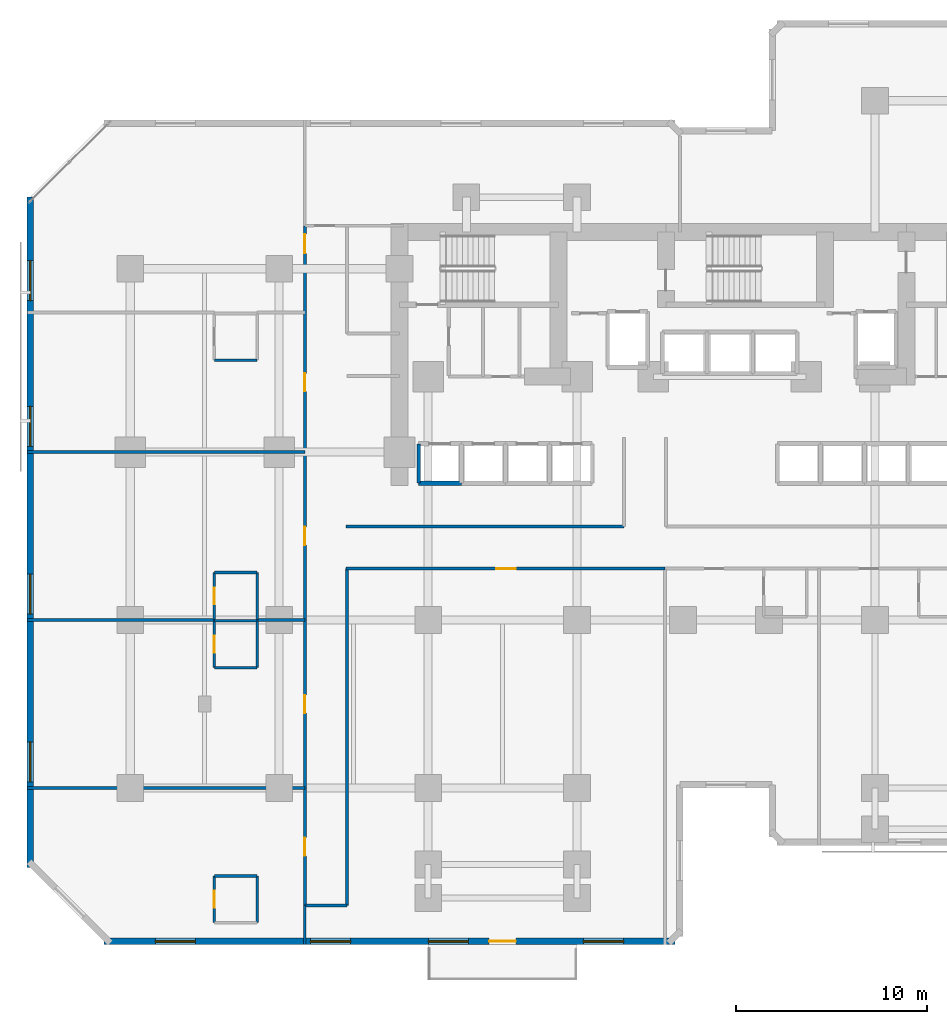
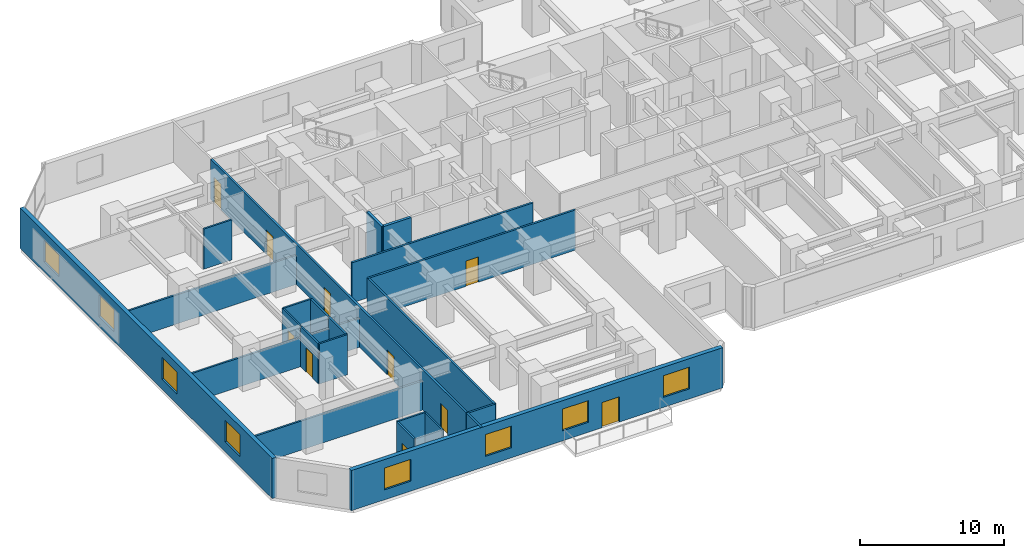
# One storey, part 4 of 11: 25 walls, 10 doors, 8 windows, 18 openings.
"""IFC4 building model written with IfcOpenShell, lengths in metres."""

from ifc_helpers import new_model, si_unit, direction, frame, frame_2d, origin, place, context, subcontext, project, spatial, rectangle, extrude, material, layer, layer_set, type_object, element, fill, save


model = new_model("IFC4")

# Units and contexts
model_context = context("Model", 3, precision=1e-05, world=origin(), true_north=direction((0.0, 1.0)))
body_context = subcontext(model_context, "Body", "Model", "MODEL_VIEW")
ifc_project = project(units=[si_unit("LENGTHUNIT", "METRE"), si_unit("AREAUNIT", "SQUARE_METRE"), si_unit("VOLUMEUNIT", "CUBIC_METRE"), si_unit("PLANEANGLEUNIT", "RADIAN"), si_unit("MASSUNIT", "GRAM", prefix="KILO")], contexts=[model_context])

# Site, building, storey
site_placement = place(None, origin())
site = spatial("IfcSite", under=ifc_project, at=site_placement, CompositionType="ELEMENT")
building_placement = place(site_placement, origin())
building = spatial("IfcBuilding", under=site, at=building_placement, Name="Kestravale Grand Hotel", CompositionType="ELEMENT")
storey_placement = place(building_placement, frame((0.0, 0.0, 71.60009765625)))
storey = spatial("IfcBuildingStorey", under=building, at=storey_placement, Name="L17", CompositionType="ELEMENT", Elevation=71.60009765625)

# Wall, openings, door, windows
ifc_material_1 = material(Name="Precast concrete f'c 45 MPa", Category="concrete")
ifc_layer_1 = layer(ifc_material_1, 0.340087890625)
ifc_layer_set_1 = layer_set([ifc_layer_1], Name="EW-PREC-340")
wall_type_1 = type_object("IfcWallType", Name="EW-PREC-340", PredefinedType="SOLIDWALL", material=ifc_layer_set_1)
wall_1_placement = place(storey_placement, frame((6.429931640625, 3.169921875, 0.0), z_axis=(0.0, 0.0, 1.0), x_axis=(1.0, 0.0, 0.0)))
wall_1 = element("IfcWall", 1, at=wall_1_placement, inside=storey, type_object=wall_type_1, Name="L17 fluted precast facade wall 1", PredefinedType="SOLIDWALL", context=body_context, shape_type="SweptSolid", body=[
    extrude(rectangle(XDim=29.89013671875, YDim=0.340087890625, at=frame_2d((14.945068359375, 0.0))), origin(), (0.0, 0.0, 1.0), 3.419921875),
])
opening_1_placement = place(wall_1_placement, frame((20.169921875, 0.0, 0.0)))
opening_1 = element("IfcOpeningElement", 2, at=opening_1_placement, cuts=wall_1, Name="Opening D-TERR-1400", PredefinedType="OPENING", context=body_context, shape_type="SweptSolid", body=[
    extrude(rectangle(XDim=1.39990234375, YDim=2.14990234375, at=frame_2d((0.699951171875, 1.074951171875))), frame((0.0, 0.179931640625, 0.0), z_axis=(0.0, -1.0, 0.0), x_axis=(1.0, 0.0, 0.0)), (0.0, 0.0, 1.0), 0.360107421875),
])
opening_2_placement = place(wall_1_placement, frame((2.686279296875, 0.0, 0.85009765625)))
opening_2 = element("IfcOpeningElement", 3, at=opening_2_placement, cuts=wall_1, Name="Opening W-GUEST-2100", PredefinedType="OPENING", context=body_context, shape_type="SweptSolid", body=[
    extrude(rectangle(XDim=2.10009765625, YDim=1.85009765625, at=frame_2d((1.050048828125, 0.925048828125))), frame((0.0, 0.179931640625, 0.0), z_axis=(0.0, -1.0, 0.0), x_axis=(1.0, 0.0, 0.0)), (0.0, 0.0, 1.0), 0.360107421875),
])
opening_3_placement = place(wall_1_placement, frame((10.80859375, 0.0, 0.85009765625)))
opening_3 = element("IfcOpeningElement", 4, at=opening_3_placement, cuts=wall_1, Name="Opening W-GUEST-2100", PredefinedType="OPENING", context=body_context, shape_type="SweptSolid", body=[
    extrude(rectangle(XDim=2.10009765625, YDim=1.85009765625, at=frame_2d((1.050048828125, 0.925048828125))), frame((0.0, 0.179931640625, 0.0), z_axis=(0.0, -1.0, 0.0), x_axis=(1.0, 0.0, 0.0)), (0.0, 0.0, 1.0), 0.360107421875),
])
opening_4_placement = place(wall_1_placement, frame((16.981201171875, 0.0, 0.85009765625)))
opening_4 = element("IfcOpeningElement", 5, at=opening_4_placement, cuts=wall_1, Name="Opening W-GUEST-2100", PredefinedType="OPENING", context=body_context, shape_type="SweptSolid", body=[
    extrude(rectangle(XDim=2.10009765625, YDim=1.85009765625, at=frame_2d((1.050048828125, 0.925048828125))), frame((0.0, 0.179931640625, 0.0), z_axis=(0.0, -1.0, 0.0), x_axis=(1.0, 0.0, 0.0)), (0.0, 0.0, 1.0), 0.360107421875),
])
opening_5_placement = place(wall_1_placement, frame((25.103759765625, 0.0, 0.85009765625)))
opening_5 = element("IfcOpeningElement", 6, at=opening_5_placement, cuts=wall_1, Name="Opening W-GUEST-2100", PredefinedType="OPENING", context=body_context, shape_type="SweptSolid", body=[
    extrude(rectangle(XDim=2.10009765625, YDim=1.85009765625, at=frame_2d((1.050048828125, 0.925048828125))), frame((0.0, 0.179931640625, 0.0), z_axis=(0.0, -1.0, 0.0), x_axis=(1.0, 0.0, 0.0)), (0.0, 0.0, 1.0), 0.360107421875),
])
ifc_material_2 = material(Name="Insulated glazed champagne-bronze aluminium door", Category="aluminium")
door_type_1 = type_object("IfcDoorType", Name="D-TERR-1400", OperationType="NOTDEFINED", PredefinedType="DOOR", material=ifc_material_2)
door_1_placement = place(opening_1_placement, origin())
door_1 = element("IfcDoor", 7, at=door_1_placement, inside=storey, type_object=door_type_1, Name="L17 outdoor garden terrace door", OperationType="DOUBLE_DOOR_SINGLE_SWING", OverallHeight=2.14990234375, OverallWidth=1.39990234375, PredefinedType="DOOR", context=body_context, shape_type="SweptSolid", body=[
    extrude(rectangle(XDim=1.39990234375, YDim=2.14990234375, at=frame_2d((0.699951171875, 1.074951171875))), frame((0.0, 0.02490234375, 0.0), z_axis=(0.0, -1.0, 0.0), x_axis=(1.0, 0.0, 0.0)), (0.0, 0.0, 1.0), 0.050048828125),
])
fill(opening_1, door_1)
ifc_material_3 = material(Name="Insulated low-E double glazing in aluminium frame", Category="aluminium")
window_type = type_object("IfcWindowType", Name="W-GUEST-2100", PartitioningType="DOUBLE_PANEL_VERTICAL", PredefinedType="WINDOW", material=ifc_material_3)
window_1_placement = place(opening_2_placement, origin())
window_1 = element("IfcWindow", 8, at=window_1_placement, inside=storey, type_object=window_type, Name="L17 exterior window 1.1", OverallHeight=1.85009765625, OverallWidth=2.10009765625, PartitioningType="SINGLE_PANEL", PredefinedType="WINDOW", context=body_context, shape_type="SweptSolid", body=[
    extrude(rectangle(XDim=2.10009765625, YDim=1.85009765625, at=frame_2d((1.050048828125, 0.925048828125))), frame((0.0, 0.030029296875, 0.0), z_axis=(0.0, -1.0, 0.0), x_axis=(1.0, 0.0, 0.0)), (0.0, 0.0, 1.0), 0.06005859375),
])
fill(opening_2, window_1)
window_2_placement = place(opening_3_placement, origin())
window_2 = element("IfcWindow", 9, at=window_2_placement, inside=storey, type_object=window_type, Name="L17 exterior window 1.2", OverallHeight=1.85009765625, OverallWidth=2.10009765625, PartitioningType="SINGLE_PANEL", PredefinedType="WINDOW", context=body_context, shape_type="SweptSolid", body=[
    extrude(rectangle(XDim=2.10009765625, YDim=1.85009765625, at=frame_2d((1.050048828125, 0.925048828125))), frame((0.0, 0.030029296875, 0.0), z_axis=(0.0, -1.0, 0.0), x_axis=(1.0, 0.0, 0.0)), (0.0, 0.0, 1.0), 0.06005859375),
])
fill(opening_3, window_2)
window_3_placement = place(opening_4_placement, origin())
window_3 = element("IfcWindow", 10, at=window_3_placement, inside=storey, type_object=window_type, Name="L17 exterior window 1.3", OverallHeight=1.85009765625, OverallWidth=2.10009765625, PartitioningType="SINGLE_PANEL", PredefinedType="WINDOW", context=body_context, shape_type="SweptSolid", body=[
    extrude(rectangle(XDim=2.10009765625, YDim=1.85009765625, at=frame_2d((1.050048828125, 0.925048828125))), frame((0.0, 0.030029296875, 0.0), z_axis=(0.0, -1.0, 0.0), x_axis=(1.0, 0.0, 0.0)), (0.0, 0.0, 1.0), 0.06005859375),
])
fill(opening_4, window_3)
window_4_placement = place(opening_5_placement, origin())
window_4 = element("IfcWindow", 11, at=window_4_placement, inside=storey, type_object=window_type, Name="L17 exterior window 1.4", OverallHeight=1.85009765625, OverallWidth=2.10009765625, PartitioningType="SINGLE_PANEL", PredefinedType="WINDOW", context=body_context, shape_type="SweptSolid", body=[
    extrude(rectangle(XDim=2.10009765625, YDim=1.85009765625, at=frame_2d((1.050048828125, 0.925048828125))), frame((0.0, 0.030029296875, 0.0), z_axis=(0.0, -1.0, 0.0), x_axis=(1.0, 0.0, 0.0)), (0.0, 0.0, 1.0), 0.06005859375),
])
fill(opening_5, window_4)

# Wall, openings, windows
wall_2_placement = place(storey_placement, frame((2.570068359375, 42.169921875, 0.0), z_axis=(0.0, 0.0, 1.0), x_axis=(0.0, -1.0, 0.0)))
wall_2 = element("IfcWall", 12, at=wall_2_placement, inside=storey, type_object=wall_type_1, Name="L17 fluted precast facade wall 19", PredefinedType="SOLIDWALL", context=body_context, shape_type="SweptSolid", body=[
    extrude(rectangle(XDim=35.139892578125, YDim=0.340087890625, at=frame_2d((17.56982421875, 0.0))), origin(), (0.0, 0.0, 1.0), 3.419921875),
])
opening_6_placement = place(wall_2_placement, frame((3.342529296875, 0.0, 0.85009765625)))
opening_6 = element("IfcOpeningElement", 13, at=opening_6_placement, cuts=wall_2, Name="Opening W-GUEST-2100", PredefinedType="OPENING", context=body_context, shape_type="SweptSolid", body=[
    extrude(rectangle(XDim=2.10009765625, YDim=1.85009765625, at=frame_2d((1.050048828125, 0.925048828125))), frame((0.0, 0.179931640625, 0.0), z_axis=(0.0, -1.0, 0.0), x_axis=(1.0, 0.0, 0.0)), (0.0, 0.0, 1.0), 0.360107421875),
])
opening_7_placement = place(wall_2_placement, frame((10.9775390625, 0.0, 0.85009765625)))
opening_7 = element("IfcOpeningElement", 14, at=opening_7_placement, cuts=wall_2, Name="Opening W-GUEST-2100", PredefinedType="OPENING", context=body_context, shape_type="SweptSolid", body=[
    extrude(rectangle(XDim=2.10009765625, YDim=1.85009765625, at=frame_2d((1.050048828125, 0.925048828125))), frame((0.0, 0.179931640625, 0.0), z_axis=(0.0, -1.0, 0.0), x_axis=(1.0, 0.0, 0.0)), (0.0, 0.0, 1.0), 0.360107421875),
])
opening_8_placement = place(wall_2_placement, frame((19.762451171875, 0.0, 0.85009765625)))
opening_8 = element("IfcOpeningElement", 15, at=opening_8_placement, cuts=wall_2, Name="Opening W-GUEST-2100", PredefinedType="OPENING", context=body_context, shape_type="SweptSolid", body=[
    extrude(rectangle(XDim=2.10009765625, YDim=1.85009765625, at=frame_2d((1.050048828125, 0.925048828125))), frame((0.0, 0.179931640625, 0.0), z_axis=(0.0, -1.0, 0.0), x_axis=(1.0, 0.0, 0.0)), (0.0, 0.0, 1.0), 0.360107421875),
])
opening_9_placement = place(wall_2_placement, frame((28.547607421875, 0.0, 0.85009765625)))
opening_9 = element("IfcOpeningElement", 16, at=opening_9_placement, cuts=wall_2, Name="Opening W-GUEST-2100", PredefinedType="OPENING", context=body_context, shape_type="SweptSolid", body=[
    extrude(rectangle(XDim=2.10009765625, YDim=1.85009765625, at=frame_2d((1.050048828125, 0.925048828125))), frame((0.0, 0.179931640625, 0.0), z_axis=(0.0, -1.0, 0.0), x_axis=(1.0, 0.0, 0.0)), (0.0, 0.0, 1.0), 0.360107421875),
])
window_5_placement = place(opening_6_placement, origin())
window_5 = element("IfcWindow", 17, at=window_5_placement, inside=storey, type_object=window_type, Name="L17 exterior window 19.1", OverallHeight=1.85009765625, OverallWidth=2.10009765625, PartitioningType="SINGLE_PANEL", PredefinedType="WINDOW", context=body_context, shape_type="SweptSolid", body=[
    extrude(rectangle(XDim=2.10009765625, YDim=1.85009765625, at=frame_2d((1.050048828125, 0.925048828125))), frame((0.0, 0.030029296875, 0.0), z_axis=(0.0, -1.0, 0.0), x_axis=(1.0, 0.0, 0.0)), (0.0, 0.0, 1.0), 0.06005859375),
])
fill(opening_6, window_5)
window_6_placement = place(opening_7_placement, origin())
window_6 = element("IfcWindow", 18, at=window_6_placement, inside=storey, type_object=window_type, Name="L17 exterior window 19.2", OverallHeight=1.85009765625, OverallWidth=2.10009765625, PartitioningType="SINGLE_PANEL", PredefinedType="WINDOW", context=body_context, shape_type="SweptSolid", body=[
    extrude(rectangle(XDim=2.10009765625, YDim=1.85009765625, at=frame_2d((1.050048828125, 0.925048828125))), frame((0.0, 0.030029296875, 0.0), z_axis=(0.0, -1.0, 0.0), x_axis=(1.0, 0.0, 0.0)), (0.0, 0.0, 1.0), 0.06005859375),
])
fill(opening_7, window_6)
window_7_placement = place(opening_8_placement, origin())
window_7 = element("IfcWindow", 19, at=window_7_placement, inside=storey, type_object=window_type, Name="L17 exterior window 19.3", OverallHeight=1.85009765625, OverallWidth=2.10009765625, PartitioningType="SINGLE_PANEL", PredefinedType="WINDOW", context=body_context, shape_type="SweptSolid", body=[
    extrude(rectangle(XDim=2.10009765625, YDim=1.85009765625, at=frame_2d((1.050048828125, 0.925048828125))), frame((0.0, 0.030029296875, 0.0), z_axis=(0.0, -1.0, 0.0), x_axis=(1.0, 0.0, 0.0)), (0.0, 0.0, 1.0), 0.06005859375),
])
fill(opening_8, window_7)
window_8_placement = place(opening_9_placement, origin())
window_8 = element("IfcWindow", 20, at=window_8_placement, inside=storey, type_object=window_type, Name="L17 exterior window 19.4", OverallHeight=1.85009765625, OverallWidth=2.10009765625, PartitioningType="SINGLE_PANEL", PredefinedType="WINDOW", context=body_context, shape_type="SweptSolid", body=[
    extrude(rectangle(XDim=2.10009765625, YDim=1.85009765625, at=frame_2d((1.050048828125, 0.925048828125))), frame((0.0, 0.030029296875, 0.0), z_axis=(0.0, -1.0, 0.0), x_axis=(1.0, 0.0, 0.0)), (0.0, 0.0, 1.0), 0.06005859375),
])
fill(opening_9, window_8)

# Wall
ifc_material_4 = material(Name="Acoustic fire-rated gypsum board partition", Category="other")
ifc_layer_2 = layer(ifc_material_4, 0.159912109375)
ifc_layer_set_2 = layer_set([ifc_layer_2], Name="IW-CORR-160")
wall_type_2 = type_object("IfcWallType", Name="IW-CORR-160", PredefinedType="PARTITIONING", material=ifc_layer_set_2)
wall_3_placement = place(storey_placement, frame((19.10009765625, 24.909912109375, 0.0), z_axis=(0.0, 0.0, 1.0), x_axis=(1.0, 0.0, 0.0)))
element("IfcWall", 21, at=wall_3_placement, inside=storey, type_object=wall_type_2, Name="W-L17-CW-N", PredefinedType="PARTITIONING", context=body_context, shape_type="SweptSolid", body=[
    extrude(rectangle(XDim=14.5498046875, YDim=0.159912109375, at=frame_2d((7.27490234375, 0.0))), origin(), (0.0, 0.0, 1.0), 3.419921875),
])

# Wall, opening, door
wall_4_placement = place(storey_placement, frame((19.10009765625, 22.68994140625, 0.0), z_axis=(0.0, 0.0, 1.0), x_axis=(1.0, 0.0, 0.0)))
wall_4 = element("IfcWall", 22, at=wall_4_placement, inside=storey, type_object=wall_type_2, Name="W-L17-CW-S", PredefinedType="PARTITIONING", context=body_context, shape_type="SweptSolid", body=[
    extrude(rectangle(XDim=16.699951171875, YDim=0.159912109375, at=frame_2d((8.35009765625, 0.0))), origin(), (0.0, 0.0, 1.0), 3.419921875),
])
opening_10_placement = place(wall_4_placement, frame((7.8798828125, 0.0, 0.0)))
opening_10 = element("IfcOpeningElement", 23, at=opening_10_placement, cuts=wall_4, Name="Opening D-GUEST-1000", PredefinedType="OPENING", context=body_context, shape_type="SweptSolid", body=[
    extrude(rectangle(XDim=1.0, YDim=2.14990234375, at=frame_2d((0.5, 1.074951171875))), frame((0.0, 0.08984375, 0.0), z_axis=(0.0, -1.0, 0.0), x_axis=(1.0, 0.0, 0.0)), (0.0, 0.0, 1.0), 0.179931640625),
])
ifc_material_5 = material(Name="Accessible walnut veneer hotel entrance fire door", Category="wood")
door_type_2 = type_object("IfcDoorType", Name="D-GUEST-1000", OperationType="NOTDEFINED", PredefinedType="DOOR", material=ifc_material_5)
door_2_placement = place(opening_10_placement, origin())
door_2 = element("IfcDoor", 24, at=door_2_placement, inside=storey, type_object=door_type_2, Name="D-L17-AMW", OperationType="SINGLE_SWING_LEFT", OverallHeight=2.14990234375, OverallWidth=1.0, PredefinedType="DOOR", context=body_context, shape_type="SweptSolid", body=[
    extrude(rectangle(XDim=1.0, YDim=2.14990234375, at=frame_2d((0.5, 1.074951171875))), frame((0.0, 0.02490234375, 0.0), z_axis=(0.0, -1.0, 0.0), x_axis=(1.0, 0.0, 0.0)), (0.0, 0.0, 1.0), 0.050048828125),
])
fill(opening_10, door_2)

# Wall, openings, doors
wall_5_placement = place(storey_placement, frame((16.93994140625, 5.050048828125, 0.0), z_axis=(0.0, 0.0, 1.0), x_axis=(0.0, 1.0, 0.0)))
wall_5 = element("IfcWall", 25, at=wall_5_placement, inside=storey, type_object=wall_type_2, Name="W-L17-SW-W", PredefinedType="PARTITIONING", context=body_context, shape_type="SweptSolid", body=[
    extrude(rectangle(XDim=35.599853515625, YDim=0.159912109375, at=frame_2d((17.7998046875, 0.0))), origin(), (0.0, 0.0, 1.0), 3.419921875),
])
opening_11_placement = place(wall_5_placement, frame((2.60009765625, 0.0, 0.0)))
opening_11 = element("IfcOpeningElement", 26, at=opening_11_placement, cuts=wall_5, Name="Opening D-GUEST-950", PredefinedType="OPENING", context=body_context, shape_type="SweptSolid", body=[
    extrude(rectangle(XDim=0.949951171875, YDim=2.10009765625, at=frame_2d((0.47509765625, 1.050048828125))), frame((0.0, 0.08984375, 0.0), z_axis=(0.0, -1.0, 0.0), x_axis=(1.0, 0.0, 0.0)), (0.0, 0.0, 1.0), 0.179931640625),
])
opening_12_placement = place(wall_5_placement, frame((10.074951171875, 0.0, 0.0)))
opening_12 = element("IfcOpeningElement", 27, at=opening_12_placement, cuts=wall_5, Name="Opening D-GUEST-950", PredefinedType="OPENING", context=body_context, shape_type="SweptSolid", body=[
    extrude(rectangle(XDim=0.949951171875, YDim=2.10009765625, at=frame_2d((0.47509765625, 1.050048828125))), frame((0.0, 0.08984375, 0.0), z_axis=(0.0, -1.0, 0.0), x_axis=(1.0, 0.0, 0.0)), (0.0, 0.0, 1.0), 0.179931640625),
])
opening_13_placement = place(wall_5_placement, frame((18.875, 0.0, 0.0)))
opening_13 = element("IfcOpeningElement", 28, at=opening_13_placement, cuts=wall_5, Name="Opening D-GUEST-950", PredefinedType="OPENING", context=body_context, shape_type="SweptSolid", body=[
    extrude(rectangle(XDim=0.949951171875, YDim=2.10009765625, at=frame_2d((0.47509765625, 1.050048828125))), frame((0.0, 0.08984375, 0.0), z_axis=(0.0, -1.0, 0.0), x_axis=(1.0, 0.0, 0.0)), (0.0, 0.0, 1.0), 0.179931640625),
])
opening_14_placement = place(wall_5_placement, frame((26.925048828125, 0.0, 0.0)))
opening_14 = element("IfcOpeningElement", 29, at=opening_14_placement, cuts=wall_5, Name="Opening D-GUEST-950", PredefinedType="OPENING", context=body_context, shape_type="SweptSolid", body=[
    extrude(rectangle(XDim=0.949951171875, YDim=2.10009765625, at=frame_2d((0.47509765625, 1.050048828125))), frame((0.0, 0.08984375, 0.0), z_axis=(0.0, -1.0, 0.0), x_axis=(1.0, 0.0, 0.0)), (0.0, 0.0, 1.0), 0.179931640625),
])
opening_15_placement = place(wall_5_placement, frame((34.159912109375, 0.0, 0.0)))
opening_15 = element("IfcOpeningElement", 30, at=opening_15_placement, cuts=wall_5, Name="Opening D-GUEST-1000", PredefinedType="OPENING", context=body_context, shape_type="SweptSolid", body=[
    extrude(rectangle(XDim=1.0, YDim=2.14990234375, at=frame_2d((0.5, 1.074951171875))), frame((0.0, 0.08984375, 0.0), z_axis=(0.0, -1.0, 0.0), x_axis=(1.0, 0.0, 0.0)), (0.0, 0.0, 1.0), 0.179931640625),
])
door_3_placement = place(opening_15_placement, origin())
door_3 = element("IfcDoor", 31, at=door_3_placement, inside=storey, type_object=door_type_2, Name="D-L17-AMWW", OperationType="SINGLE_SWING_LEFT", OverallHeight=2.14990234375, OverallWidth=1.0, PredefinedType="DOOR", context=body_context, shape_type="SweptSolid", body=[
    extrude(rectangle(XDim=1.0, YDim=2.14990234375, at=frame_2d((0.5, 1.074951171875))), frame((0.0, 0.02490234375, 0.0), z_axis=(0.0, -1.0, 0.0), x_axis=(1.0, 0.0, 0.0)), (0.0, 0.0, 1.0), 0.050048828125),
])
fill(opening_15, door_3)
ifc_material_6 = material(Name="Walnut veneer hotel guestroom entrance fire door", Category="wood")
door_type_3 = type_object("IfcDoorType", Name="D-GUEST-950", OperationType="NOTDEFINED", PredefinedType="DOOR", material=ifc_material_6)
door_4_placement = place(opening_11_placement, origin())
door_4 = element("IfcDoor", 32, at=door_4_placement, inside=storey, type_object=door_type_3, Name="D-L17-U03-ENT", OperationType="SINGLE_SWING_RIGHT", OverallHeight=2.10009765625, OverallWidth=0.949951171875, PredefinedType="DOOR", context=body_context, shape_type="SweptSolid", body=[
    extrude(rectangle(XDim=0.949951171875, YDim=2.10009765625, at=frame_2d((0.47509765625, 1.050048828125))), frame((0.0, 0.02490234375, 0.0), z_axis=(0.0, -1.0, 0.0), x_axis=(1.0, 0.0, 0.0)), (0.0, 0.0, 1.0), 0.050048828125),
])
fill(opening_11, door_4)
door_5_placement = place(opening_12_placement, origin())
door_5 = element("IfcDoor", 33, at=door_5_placement, inside=storey, type_object=door_type_3, Name="D-L17-U04-ENT", OperationType="SINGLE_SWING_RIGHT", OverallHeight=2.10009765625, OverallWidth=0.949951171875, PredefinedType="DOOR", context=body_context, shape_type="SweptSolid", body=[
    extrude(rectangle(XDim=0.949951171875, YDim=2.10009765625, at=frame_2d((0.47509765625, 1.050048828125))), frame((0.0, 0.02490234375, 0.0), z_axis=(0.0, -1.0, 0.0), x_axis=(1.0, 0.0, 0.0)), (0.0, 0.0, 1.0), 0.050048828125),
])
fill(opening_12, door_5)
door_6_placement = place(opening_13_placement, origin())
door_6 = element("IfcDoor", 34, at=door_6_placement, inside=storey, type_object=door_type_3, Name="D-L17-U05-ENT", OperationType="SINGLE_SWING_RIGHT", OverallHeight=2.10009765625, OverallWidth=0.949951171875, PredefinedType="DOOR", context=body_context, shape_type="SweptSolid", body=[
    extrude(rectangle(XDim=0.949951171875, YDim=2.10009765625, at=frame_2d((0.47509765625, 1.050048828125))), frame((0.0, 0.02490234375, 0.0), z_axis=(0.0, -1.0, 0.0), x_axis=(1.0, 0.0, 0.0)), (0.0, 0.0, 1.0), 0.050048828125),
])
fill(opening_13, door_6)
door_7_placement = place(opening_14_placement, origin())
door_7 = element("IfcDoor", 35, at=door_7_placement, inside=storey, type_object=door_type_3, Name="D-L17-U06-ENT", OperationType="SINGLE_SWING_RIGHT", OverallHeight=2.10009765625, OverallWidth=0.949951171875, PredefinedType="DOOR", context=body_context, shape_type="SweptSolid", body=[
    extrude(rectangle(XDim=0.949951171875, YDim=2.10009765625, at=frame_2d((0.47509765625, 1.050048828125))), frame((0.0, 0.02490234375, 0.0), z_axis=(0.0, -1.0, 0.0), x_axis=(1.0, 0.0, 0.0)), (0.0, 0.0, 1.0), 0.050048828125),
])
fill(opening_14, door_7)

# Wall
wall_6_placement = place(storey_placement, frame((19.159912109375, 5.050048828125, 0.0), z_axis=(0.0, 0.0, 1.0), x_axis=(0.0, 1.0, 0.0)))
element("IfcWall", 36, at=wall_6_placement, inside=storey, type_object=wall_type_2, Name="W-L17-SW-E", PredefinedType="PARTITIONING", context=body_context, shape_type="SweptSolid", body=[
    extrude(rectangle(XDim=17.639892578125, YDim=0.159912109375, at=frame_2d((8.81982421875, 0.0))), origin(), (0.0, 0.0, 1.0), 3.419921875),
])

# Wall, opening, door
ifc_material_7 = material(Name="Moisture-resistant tile-backer plumbing chase wall", Category="other")
ifc_layer_3 = layer(ifc_material_7, 0.139892578125)
ifc_layer_set_3 = layer_set([ifc_layer_3], Name="IW-PLB-140")
wall_type_3 = type_object("IfcWallType", Name="IW-PLB-140", PredefinedType="PLUMBINGWALL", material=ifc_layer_set_3)
wall_7_placement = place(storey_placement, frame((12.199951171875, 4.14990234375, 0.0), z_axis=(0.0, 0.0, 1.0), x_axis=(0.0, 1.0, 0.0)))
wall_7 = element("IfcWall", 37, at=wall_7_placement, inside=storey, type_object=wall_type_3, Name="W-L17-U03-BW", PredefinedType="PLUMBINGWALL", context=body_context, shape_type="SweptSolid", body=[
    extrude(rectangle(XDim=2.4501953125, YDim=0.139892578125, at=frame_2d((1.22509765625, 0.0))), origin(), (0.0, 0.0, 1.0), 3.419921875),
])
opening_16_placement = place(wall_7_placement, frame((0.784912109375, 0.0, 0.0)))
opening_16 = element("IfcOpeningElement", 38, at=opening_16_placement, cuts=wall_7, Name="Opening D-BATH-880", PredefinedType="OPENING", context=body_context, shape_type="SweptSolid", body=[
    extrude(rectangle(XDim=0.8798828125, YDim=2.050048828125, at=frame_2d((0.43994140625, 1.02490234375))), frame((0.0, 0.079833984375, 0.0), z_axis=(0.0, -1.0, 0.0), x_axis=(1.0, 0.0, 0.0)), (0.0, 0.0, 1.0), 0.159912109375),
])
ifc_material_8 = material(Name="Moisture-sealed walnut en-suite bathroom door", Category="wood")
door_type_4 = type_object("IfcDoorType", Name="D-BATH-880", OperationType="NOTDEFINED", PredefinedType="DOOR", material=ifc_material_8)
door_8_placement = place(opening_16_placement, origin())
door_8 = element("IfcDoor", 39, at=door_8_placement, inside=storey, type_object=door_type_4, Name="D-L17-U03-BATH", OperationType="SINGLE_SWING_LEFT", OverallHeight=2.050048828125, OverallWidth=0.8798828125, PredefinedType="DOOR", context=body_context, shape_type="SweptSolid", body=[
    extrude(rectangle(XDim=0.8798828125, YDim=2.050048828125, at=frame_2d((0.43994140625, 1.02490234375))), frame((0.0, 0.02490234375, 0.0), z_axis=(0.0, -1.0, 0.0), x_axis=(1.0, 0.0, 0.0)), (0.0, 0.0, 1.0), 0.050048828125),
])
fill(opening_16, door_8)

# Walls
wall_8_placement = place(storey_placement, frame((14.449951171875, 4.14990234375, 0.0), z_axis=(0.0, 0.0, 1.0), x_axis=(0.0, 1.0, 0.0)))
element("IfcWall", 40, at=wall_8_placement, inside=storey, type_object=wall_type_3, Name="W-L17-U03-BE", PredefinedType="PLUMBINGWALL", context=body_context, shape_type="SweptSolid", body=[
    extrude(rectangle(XDim=2.4501953125, YDim=0.139892578125, at=frame_2d((1.22509765625, 0.0))), origin(), (0.0, 0.0, 1.0), 3.419921875),
])
wall_9_placement = place(storey_placement, frame((12.199951171875, 6.60009765625, 0.0), z_axis=(0.0, 0.0, 1.0), x_axis=(1.0, 0.0, 0.0)))
element("IfcWall", 41, at=wall_9_placement, inside=storey, type_object=wall_type_3, Name="W-L17-U03-BN", PredefinedType="PLUMBINGWALL", context=body_context, shape_type="SweptSolid", body=[
    extrude(rectangle(XDim=2.25, YDim=0.139892578125, at=frame_2d((1.125, 0.0))), origin(), (0.0, 0.0, 1.0), 3.419921875),
])

# Wall, opening, door
wall_10_placement = place(storey_placement, frame((12.199951171875, 17.510009765625, 0.0), z_axis=(0.0, 0.0, 1.0), x_axis=(0.0, 1.0, 0.0)))
wall_10 = element("IfcWall", 42, at=wall_10_placement, inside=storey, type_object=wall_type_3, Name="W-L17-U04-BW", PredefinedType="PLUMBINGWALL", context=body_context, shape_type="SweptSolid", body=[
    extrude(rectangle(XDim=2.449951171875, YDim=0.139892578125, at=frame_2d((1.22509765625, 0.0))), origin(), (0.0, 0.0, 1.0), 3.419921875),
])
opening_17_placement = place(wall_10_placement, frame((0.784912109375, 0.0, 0.0)))
opening_17 = element("IfcOpeningElement", 43, at=opening_17_placement, cuts=wall_10, Name="Opening D-BATH-880", PredefinedType="OPENING", context=body_context, shape_type="SweptSolid", body=[
    extrude(rectangle(XDim=0.8798828125, YDim=2.050048828125, at=frame_2d((0.43994140625, 1.02490234375))), frame((0.0, 0.079833984375, 0.0), z_axis=(0.0, -1.0, 0.0), x_axis=(1.0, 0.0, 0.0)), (0.0, 0.0, 1.0), 0.159912109375),
])
door_9_placement = place(opening_17_placement, origin())
door_9 = element("IfcDoor", 44, at=door_9_placement, inside=storey, type_object=door_type_4, Name="D-L17-U04-BATH", OperationType="SINGLE_SWING_LEFT", OverallHeight=2.050048828125, OverallWidth=0.8798828125, PredefinedType="DOOR", context=body_context, shape_type="SweptSolid", body=[
    extrude(rectangle(XDim=0.8798828125, YDim=2.050048828125, at=frame_2d((0.43994140625, 1.02490234375))), frame((0.0, 0.02490234375, 0.0), z_axis=(0.0, -1.0, 0.0), x_axis=(1.0, 0.0, 0.0)), (0.0, 0.0, 1.0), 0.050048828125),
])
fill(opening_17, door_9)

# Walls
wall_11_placement = place(storey_placement, frame((14.449951171875, 17.510009765625, 0.0), z_axis=(0.0, 0.0, 1.0), x_axis=(0.0, 1.0, 0.0)))
element("IfcWall", 45, at=wall_11_placement, inside=storey, type_object=wall_type_3, Name="W-L17-U04-BE", PredefinedType="PLUMBINGWALL", context=body_context, shape_type="SweptSolid", body=[
    extrude(rectangle(XDim=2.449951171875, YDim=0.139892578125, at=frame_2d((1.22509765625, 0.0))), origin(), (0.0, 0.0, 1.0), 3.419921875),
])
wall_12_placement = place(storey_placement, frame((12.199951171875, 17.510009765625, 0.0), z_axis=(0.0, 0.0, 1.0), x_axis=(1.0, 0.0, 0.0)))
element("IfcWall", 46, at=wall_12_placement, inside=storey, type_object=wall_type_3, Name="W-L17-U04-BS", PredefinedType="PLUMBINGWALL", context=body_context, shape_type="SweptSolid", body=[
    extrude(rectangle(XDim=2.25, YDim=0.139892578125, at=frame_2d((1.125, 0.0))), origin(), (0.0, 0.0, 1.0), 3.419921875),
])
wall_13_placement = place(storey_placement, frame((12.199951171875, 19.9599609375, 0.0), z_axis=(0.0, 0.0, 1.0), x_axis=(1.0, 0.0, 0.0)))
element("IfcWall", 47, at=wall_13_placement, inside=storey, type_object=wall_type_3, Name="W-L17-U04-BN", PredefinedType="PLUMBINGWALL", context=body_context, shape_type="SweptSolid", body=[
    extrude(rectangle(XDim=2.25, YDim=0.139892578125, at=frame_2d((1.125, 0.0))), origin(), (0.0, 0.0, 1.0), 2.472900390625),
])

# Wall, opening, door
wall_14_placement = place(storey_placement, frame((12.199951171875, 20.0400390625, 0.0), z_axis=(0.0, 0.0, 1.0), x_axis=(0.0, 1.0, 0.0)))
wall_14 = element("IfcWall", 48, at=wall_14_placement, inside=storey, type_object=wall_type_3, Name="W-L17-U05-BW", PredefinedType="PLUMBINGWALL", context=body_context, shape_type="SweptSolid", body=[
    extrude(rectangle(XDim=2.449951171875, YDim=0.139892578125, at=frame_2d((1.22509765625, 0.0))), origin(), (0.0, 0.0, 1.0), 3.419921875),
])
opening_18_placement = place(wall_14_placement, frame((0.784912109375, 0.0, 0.0)))
opening_18 = element("IfcOpeningElement", 49, at=opening_18_placement, cuts=wall_14, Name="Opening D-BATH-880", PredefinedType="OPENING", context=body_context, shape_type="SweptSolid", body=[
    extrude(rectangle(XDim=0.8798828125, YDim=2.050048828125, at=frame_2d((0.43994140625, 1.02490234375))), frame((0.0, 0.079833984375, 0.0), z_axis=(0.0, -1.0, 0.0), x_axis=(1.0, 0.0, 0.0)), (0.0, 0.0, 1.0), 0.159912109375),
])
door_10_placement = place(opening_18_placement, origin())
door_10 = element("IfcDoor", 50, at=door_10_placement, inside=storey, type_object=door_type_4, Name="D-L17-U05-BATH", OperationType="SINGLE_SWING_LEFT", OverallHeight=2.050048828125, OverallWidth=0.8798828125, PredefinedType="DOOR", context=body_context, shape_type="SweptSolid", body=[
    extrude(rectangle(XDim=0.8798828125, YDim=2.050048828125, at=frame_2d((0.43994140625, 1.02490234375))), frame((0.0, 0.02490234375, 0.0), z_axis=(0.0, -1.0, 0.0), x_axis=(1.0, 0.0, 0.0)), (0.0, 0.0, 1.0), 0.050048828125),
])
fill(opening_18, door_10)

# Walls
wall_15_placement = place(storey_placement, frame((14.449951171875, 20.0400390625, 0.0), z_axis=(0.0, 0.0, 1.0), x_axis=(0.0, 1.0, 0.0)))
element("IfcWall", 51, at=wall_15_placement, inside=storey, type_object=wall_type_3, Name="W-L17-U05-BE", PredefinedType="PLUMBINGWALL", context=body_context, shape_type="SweptSolid", body=[
    extrude(rectangle(XDim=2.449951171875, YDim=0.139892578125, at=frame_2d((1.22509765625, 0.0))), origin(), (0.0, 0.0, 1.0), 3.419921875),
])
for number, where, z_axis, x_axis, name in (
    (52, (12.199951171875, 22.489990234375, 0.0), (0.0, 0.0, 1.0), (1.0, 0.0, 0.0), "W-L17-U05-BN"),
    (53, (12.199951171875, 33.610107421875, 0.0), (0.0, 0.0, 1.0), (1.0, 0.0, 0.0), "W-L17-U06-BS"),
):
    element("IfcWall", number, at=place(storey_placement, frame(where, z_axis=z_axis, x_axis=x_axis)), inside=storey, type_object=wall_type_3, Name=name, PredefinedType="PLUMBINGWALL", context=body_context, shape_type="SweptSolid", body=[
        extrude(rectangle(XDim=2.25, YDim=0.139892578125, at=frame_2d((1.125, 0.0))), origin(), (0.0, 0.0, 1.0), 3.419921875),
    ])
ifc_material_9 = material(Name="Concrete f'c 45 MPa", Category="concrete")
ifc_layer_4 = layer(ifc_material_9, 0.199951171875)
ifc_layer_set_4 = layer_set([ifc_layer_4], Name="IW-SHAFT-200")
wall_type_4 = type_object("IfcWallType", Name="IW-SHAFT-200", PredefinedType="SHEAR", material=ifc_layer_set_4)
wall_16_placement = place(storey_placement, frame((22.905029296875, 27.169921875, 0.0), z_axis=(0.0, 0.0, 1.0), x_axis=(0.0, 1.0, 0.0)))
element("IfcWall", 54, at=wall_16_placement, inside=storey, type_object=wall_type_4, Name="L17 PL-L1 west shaft wall", PredefinedType="SHEAR", context=body_context, shape_type="SweptSolid", body=[
    extrude(rectangle(XDim=2.06005859375, YDim=0.199951171875, at=frame_2d((1.030029296875, 0.0))), origin(), (0.0, 0.0, 1.0), 3.7998046875),
])
ifc_material_10 = material(Name="Concrete f'c 45 MPa", Category="concrete")
ifc_layer_5 = layer(ifc_material_10, 0.219970703125)
ifc_layer_set_5 = layer_set([ifc_layer_5], Name="IW-SHAFT-220")
wall_type_5 = type_object("IfcWallType", Name="IW-SHAFT-220", PredefinedType="SHEAR", material=ifc_layer_set_5)
wall_17_placement = place(storey_placement, frame((22.905029296875, 27.169921875, 0.0), z_axis=(0.0, 0.0, 1.0), x_axis=(1.0, 0.0, 0.0)))
element("IfcWall", 55, at=wall_17_placement, inside=storey, type_object=wall_type_5, Name="L17 PL-L1 south shaft wall", PredefinedType="SHEAR", context=body_context, shape_type="SweptSolid", body=[
    extrude(rectangle(XDim=2.244873046875, YDim=0.219970703125, at=frame_2d((1.12255859375, 0.0))), origin(), (0.0, 0.0, 1.0), 3.7998046875),
])
ifc_material_11 = material(Name="Double-stud STC 52 acoustic demising partition", Category="other")
ifc_layer_6 = layer(ifc_material_11, 0.14990234375)
ifc_layer_set_6 = layer_set([ifc_layer_6], Name="IW-UNIT-150")
wall_type_6 = type_object("IfcWallType", Name="IW-UNIT-150", PredefinedType="PARTITIONING", material=ifc_layer_set_6)
wall_18_placement = place(storey_placement, frame((16.93994140625, 5.050048828125, 0.0), z_axis=(0.0, 0.0, 1.0), x_axis=(1.0, 0.0, 0.0)))
element("IfcWall", 56, at=wall_18_placement, inside=storey, type_object=wall_type_6, Name="W-L17-SW-S", PredefinedType="PARTITIONING", context=body_context, shape_type="SweptSolid", body=[
    extrude(rectangle(XDim=2.219970703125, YDim=0.14990234375, at=frame_2d((1.10986328125, 0.0))), origin(), (0.0, 0.0, 1.0), 3.419921875),
])
wall_19_placement = place(storey_placement, frame((16.93994140625, 3.02001953125, 0.0), z_axis=(0.0, 0.0, 1.0), x_axis=(0.0, 1.0, 0.0)))
element("IfcWall", 57, at=wall_19_placement, inside=storey, type_object=wall_type_6, Name="W-L17-SW-EXT", PredefinedType="PARTITIONING", context=body_context, shape_type="SweptSolid", body=[
    extrude(rectangle(XDim=2.030029296875, YDim=0.14990234375, at=frame_2d((1.01513671875, 0.0))), origin(), (0.0, 0.0, 1.0), 3.419921875),
])
wall_20_placement = place(storey_placement, frame((2.419921875, 11.199951171875, 0.0), z_axis=(0.0, 0.0, 1.0), x_axis=(1.0, 0.0, 0.0)))
element("IfcWall", 58, at=wall_20_placement, inside=storey, type_object=wall_type_6, Name="W-L17-WW-1", PredefinedType="PARTITIONING", context=body_context, shape_type="SweptSolid", body=[
    extrude(rectangle(XDim=14.52001953125, YDim=0.14990234375, at=frame_2d((7.260009765625, 0.0))), origin(), (0.0, 0.0, 1.0), 2.472900390625),
])
wall_21_placement = place(storey_placement, frame((2.419921875, 20.0, 0.0), z_axis=(0.0, 0.0, 1.0), x_axis=(1.0, 0.0, 0.0)))
element("IfcWall", 59, at=wall_21_placement, inside=storey, type_object=wall_type_6, Name="W-L17-WW-2", PredefinedType="PARTITIONING", context=body_context, shape_type="SweptSolid", body=[
    extrude(rectangle(XDim=9.780029296875, YDim=0.14990234375, at=frame_2d((4.89013671875, 0.0))), origin(), (0.0, 0.0, 1.0), 2.472900390625),
])
wall_22_placement = place(storey_placement, frame((14.449951171875, 20.0, 0.0), z_axis=(0.0, 0.0, 1.0), x_axis=(1.0, 0.0, 0.0)))
element("IfcWall", 60, at=wall_22_placement, inside=storey, type_object=wall_type_6, Name="W-L17-WW-2", PredefinedType="PARTITIONING", context=body_context, shape_type="SweptSolid", body=[
    extrude(rectangle(XDim=2.489990234375, YDim=0.14990234375, at=frame_2d((1.2451171875, 0.0))), origin(), (0.0, 0.0, 1.0), 2.472900390625),
])
wall_23_placement = place(storey_placement, frame((2.419921875, 28.800048828125, 0.0), z_axis=(0.0, 0.0, 1.0), x_axis=(1.0, 0.0, 0.0)))
element("IfcWall", 61, at=wall_23_placement, inside=storey, type_object=wall_type_6, Name="W-L17-WW-3", PredefinedType="PARTITIONING", context=body_context, shape_type="SweptSolid", body=[
    extrude(rectangle(XDim=14.52001953125, YDim=0.14990234375, at=frame_2d((7.260009765625, 0.0))), origin(), (0.0, 0.0, 1.0), 2.472900390625),
])

save(model, "model.ifc")
